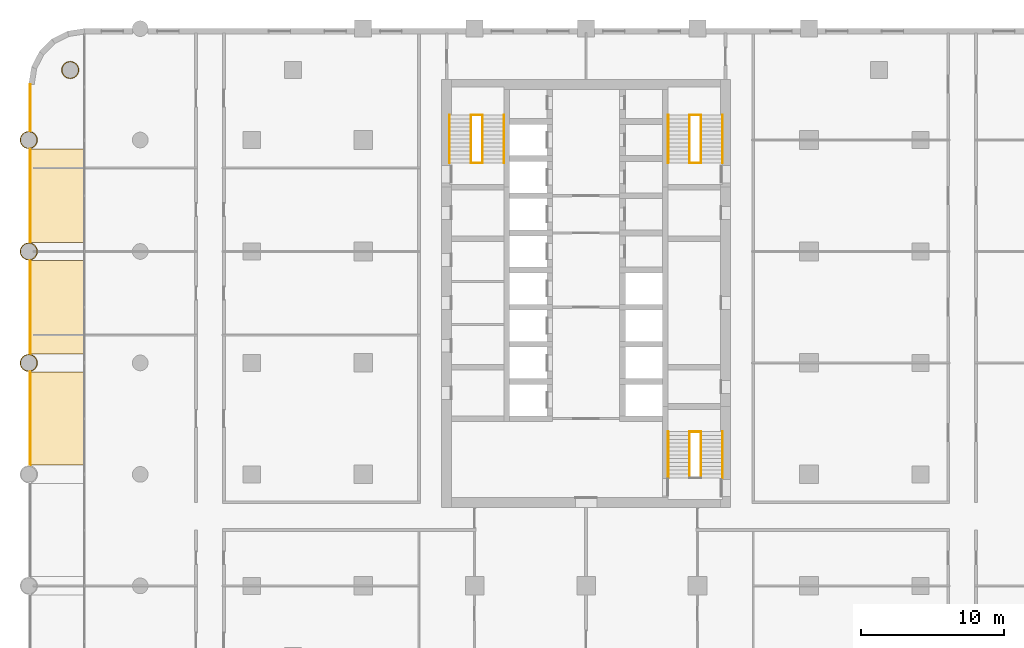
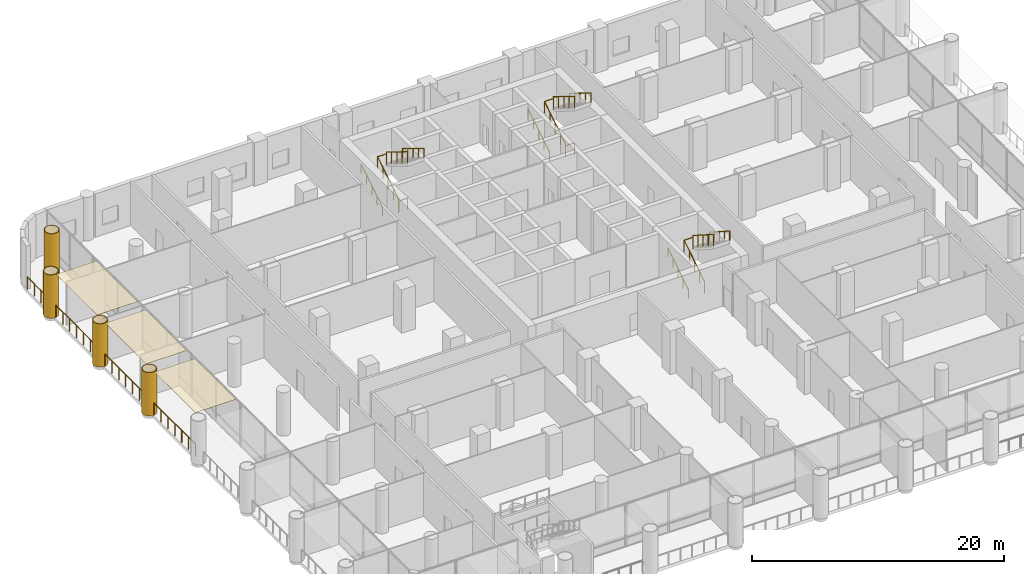
# One storey, part 22 of 24: 21 railings, 7 coverings, 3 elements without a shape of their own.
"""IFC4 building model written with IfcOpenShell, lengths in metres."""

from ifc_helpers import new_model, si_unit, direction, frame, origin, origin_2d, place, context, subcontext, project, spatial, polyline, rectangle, circle, outline, extrude, material, layer, layer_set, type_object, element, aggregate, save


model = new_model("IFC4")

# Units and contexts
model_context = context("Model", 3, precision=1e-05, world=origin(), true_north=direction((0.0, 1.0)))
body_context = subcontext(model_context, "Body", "Model", "MODEL_VIEW")
ifc_project = project(units=[si_unit("LENGTHUNIT", "METRE"), si_unit("AREAUNIT", "SQUARE_METRE"), si_unit("VOLUMEUNIT", "CUBIC_METRE"), si_unit("PLANEANGLEUNIT", "RADIAN"), si_unit("MASSUNIT", "GRAM", prefix="KILO")], contexts=[model_context])

# Site, building, storey
site_placement = place(None, origin())
site = spatial("IfcSite", under=ifc_project, at=site_placement, CompositionType="ELEMENT")
building_placement = place(site_placement, origin())
building = spatial("IfcBuilding", under=site, at=building_placement, Name="Ludao Terraces", CompositionType="ELEMENT")
storey_placement = place(building_placement, frame((0.0, 0.0, 6.0)))
storey = spatial("IfcBuildingStorey", under=building, at=storey_placement, Name="L01", CompositionType="ELEMENT", Elevation=6.0)

# Coverings
ifc_material_1 = material(Name="Stone-effect cement board ceiling lining", Category="masonry")
ifc_layer_1 = layer(ifc_material_1, 0.030029296875)
ifc_layer_set_1 = layer_set([ifc_layer_1], Name="ENV Arcade ceiling lining 30")
covering_type_1 = type_object("IfcCoveringType", Name="ENV Arcade ceiling lining 30", PredefinedType="CEILING", material=ifc_layer_set_1)
for number, where, z_axis, x_axis, name in (
    (1, (47.9599609375, 61.10009765625, 4.169921875), (0.0, 0.0, 1.0), (1.0, 0.0, 0.0), "CL-L01-W4"),
    (2, (47.9599609375, 68.89990234375, 4.169921875), (0.0, 0.0, 1.0), (1.0, 0.0, 0.0), "CL-L01-W5"),
    (3, (47.9599609375, 76.699951171875, 4.169921875), (0.0, 0.0, 1.0), (1.0, 0.0, 0.0), "CL-L01-W6"),
):
    element("IfcCovering", number, at=place(storey_placement, frame(where, z_axis=z_axis, x_axis=x_axis)), inside=storey, type_object=covering_type_1, Name=name, PredefinedType="CEILING", context=body_context, shape_type="SweptSolid", body=[
        extrude(rectangle(XDim=3.719970703125, YDim=6.52001953125, at=origin_2d()), origin(), (0.0, 0.0, 1.0), 0.030029296875),
    ])

# Railings
ifc_material_2 = material(Name="Steel Q235", Category="steel")
railing_type_1 = type_object("IfcRailingType", Name="ENV Open-edge guard 1200", PredefinedType="GUARDRAIL", material=ifc_material_2)
for number, where, name in (
    (4, (46.10009765625, 57.820068359375, 0.0), "Guard L01 W5"),
    (5, (46.10009765625, 65.6201171875, 0.0), "Guard L01 W6"),
):
    element("IfcRailing", number, at=place(storey_placement, frame(where)), inside=storey, type_object=railing_type_1, Name=name, PredefinedType="GUARDRAIL", context=body_context, shape_type="SweptSolid", body=[
        extrude(circle(Radius=0.02392578125, at=origin_2d()), frame((0.0, 0.0, 1.17578125), z_axis=(0.0, 1.0, 0.0), x_axis=(-1.0, 0.0, 0.0)), (0.0, 0.0, 1.0), 6.559814453125),
        extrude(circle(Radius=0.02099609375, at=origin_2d()), origin(), (0.0, 0.0, 1.0), 1.15185546875),
        extrude(circle(Radius=0.02099609375, at=origin_2d()), frame((0.0, 1.09326171875, 0.0)), (0.0, 0.0, 1.0), 1.15185546875),
        extrude(circle(Radius=0.02099609375, at=origin_2d()), frame((0.0, 2.1865234375, 0.0)), (0.0, 0.0, 1.0), 1.15185546875),
        extrude(circle(Radius=0.02099609375, at=origin_2d()), frame((0.0, 3.27978515625, 0.0)), (0.0, 0.0, 1.0), 1.15185546875),
        extrude(circle(Radius=0.02099609375, at=origin_2d()), frame((0.0, 4.373291015625, 0.0)), (0.0, 0.0, 1.0), 1.15185546875),
        extrude(circle(Radius=0.02099609375, at=origin_2d()), frame((0.0, 5.466552734375, 0.0)), (0.0, 0.0, 1.0), 1.15185546875),
        extrude(circle(Radius=0.02099609375, at=origin_2d()), frame((0.0, 6.559814453125, 0.0)), (0.0, 0.0, 1.0), 1.15185546875),
    ])
railing_1_placement = place(storey_placement, frame((46.10009765625, 73.419921875, 0.0)))
element("IfcRailing", 6, at=railing_1_placement, inside=storey, type_object=railing_type_1, Name="Guard L01 W7", PredefinedType="GUARDRAIL", context=body_context, shape_type="SweptSolid", body=[
    extrude(circle(Radius=0.02392578125, at=origin_2d()), frame((0.0, 0.0, 1.17578125), z_axis=(0.0, 1.0, 0.0), x_axis=(-1.0, 0.0, 0.0)), (0.0, 0.0, 1.0), 6.56005859375),
    extrude(circle(Radius=0.02099609375, at=origin_2d()), origin(), (0.0, 0.0, 1.0), 1.15185546875),
    extrude(circle(Radius=0.02099609375, at=origin_2d()), frame((0.0, 1.09326171875, 0.0)), (0.0, 0.0, 1.0), 1.15185546875),
    extrude(circle(Radius=0.02099609375, at=origin_2d()), frame((0.0, 2.186767578125, 0.0)), (0.0, 0.0, 1.0), 1.15185546875),
    extrude(circle(Radius=0.02099609375, at=origin_2d()), frame((0.0, 3.280029296875, 0.0)), (0.0, 0.0, 1.0), 1.15185546875),
    extrude(circle(Radius=0.02099609375, at=origin_2d()), frame((0.0, 4.373291015625, 0.0)), (0.0, 0.0, 1.0), 1.15185546875),
    extrude(circle(Radius=0.02099609375, at=origin_2d()), frame((0.0, 5.466796875, 0.0)), (0.0, 0.0, 1.0), 1.15185546875),
    extrude(circle(Radius=0.02099609375, at=origin_2d()), frame((0.0, 6.56005859375, 0.0)), (0.0, 0.0, 1.0), 1.15185546875),
])
railing_2_placement = place(storey_placement, frame((46.10009765625, 81.219970703125, 0.0)))
element("IfcRailing", 7, at=railing_2_placement, inside=storey, type_object=railing_type_1, Name="Guard L01 W8", PredefinedType="GUARDRAIL", context=body_context, shape_type="SweptSolid", body=[
    extrude(circle(Radius=0.02392578125, at=origin_2d()), frame((0.0, 0.0, 1.17578125), z_axis=(0.0, 1.0, 0.0), x_axis=(-1.0, 0.0, 0.0)), (0.0, 0.0, 1.0), 3.280029296875),
    extrude(circle(Radius=0.02099609375, at=origin_2d()), origin(), (0.0, 0.0, 1.0), 1.15185546875),
    extrude(circle(Radius=0.02099609375, at=origin_2d()), frame((0.0, 1.09326171875, 0.0)), (0.0, 0.0, 1.0), 1.15185546875),
    extrude(circle(Radius=0.02099609375, at=origin_2d()), frame((0.0, 2.186767578125, 0.0)), (0.0, 0.0, 1.0), 1.15185546875),
    extrude(circle(Radius=0.02099609375, at=origin_2d()), frame((0.0, 3.280029296875, 0.0)), (0.0, 0.0, 1.0), 1.15185546875),
])

# Coverings
ifc_material_3 = material(Name="Granite cladding", Category="masonry")
ifc_layer_2 = layer(ifc_material_3, 0.06005859375)
ifc_layer_set_2 = layer_set([ifc_layer_2], Name="ENV Stone column casing 60")
covering_type_2 = type_object("IfcCoveringType", Name="ENV Stone column casing 60", PredefinedType="CLADDING", material=ifc_layer_set_2)
covering_1_placement = place(storey_placement, origin())
element("IfcCovering", 8, at=covering_1_placement, inside=storey, type_object=covering_type_2, Name="CC-L01-G-156x0234", PredefinedType="CLADDING", context=body_context, shape_type="SweptSolid", body=[
    extrude(outline(polyline([(46.61474609375, 65.0), (46.59375, 65.1591796875), (46.532470703125, 65.307373046875), (46.4345703125, 65.4345703125), (46.307373046875, 65.532470703125), (46.1591796875, 65.59375), (46.0, 65.61474609375), (45.8408203125, 65.59375), (45.692626953125, 65.532470703125), (45.5654296875, 65.4345703125), (45.467529296875, 65.307373046875), (45.40625, 65.1591796875), (45.38525390625, 65.0), (45.40625, 64.8408203125), (45.467529296875, 64.692626953125), (45.5654296875, 64.5654296875), (45.692626953125, 64.467529296875), (45.8408203125, 64.40625), (46.0, 64.38525390625), (46.1591796875, 64.40625), (46.307373046875, 64.467529296875), (46.4345703125, 64.5654296875), (46.532470703125, 64.692626953125), (46.59375, 64.8408203125), (46.61474609375, 65.0)]), holes=[polyline([(46.535888671875, 64.8564453125), (46.48046875, 64.72265625), (46.392333984375, 64.607666015625), (46.27734375, 64.51953125), (46.1435546875, 64.464111328125), (46.0, 64.4453125), (45.8564453125, 64.464111328125), (45.72265625, 64.51953125), (45.607666015625, 64.607666015625), (45.51953125, 64.72265625), (45.464111328125, 64.8564453125), (45.4453125, 65.0), (45.464111328125, 65.1435546875), (45.51953125, 65.27734375), (45.607666015625, 65.392333984375), (45.72265625, 65.48046875), (45.8564453125, 65.535888671875), (46.0, 65.5546875), (46.1435546875, 65.535888671875), (46.27734375, 65.48046875), (46.392333984375, 65.392333984375), (46.48046875, 65.27734375), (46.535888671875, 65.1435546875), (46.5546875, 65.0), (46.535888671875, 64.8564453125)])]), origin(), (0.0, 0.0, 1.0), 4.199951171875),
])
covering_2_placement = place(storey_placement, origin())
element("IfcCovering", 9, at=covering_2_placement, inside=storey, type_object=covering_type_2, Name="CC-L01-G-156x0312", PredefinedType="CLADDING", context=body_context, shape_type="SweptSolid", body=[
    extrude(outline(polyline([(46.61474609375, 72.800048828125), (46.59375, 72.959228515625), (46.532470703125, 73.107421875), (46.4345703125, 73.234619140625), (46.307373046875, 73.332275390625), (46.1591796875, 73.393798828125), (46.0, 73.414794921875), (45.8408203125, 73.393798828125), (45.692626953125, 73.332275390625), (45.5654296875, 73.234619140625), (45.467529296875, 73.107421875), (45.40625, 72.959228515625), (45.38525390625, 72.800048828125), (45.40625, 72.640869140625), (45.467529296875, 72.49267578125), (45.5654296875, 72.365234375), (45.692626953125, 72.267578125), (45.8408203125, 72.206298828125), (46.0, 72.185302734375), (46.1591796875, 72.206298828125), (46.307373046875, 72.267578125), (46.4345703125, 72.365234375), (46.532470703125, 72.49267578125), (46.59375, 72.640869140625), (46.61474609375, 72.800048828125)]), holes=[polyline([(46.535888671875, 72.656494140625), (46.48046875, 72.522705078125), (46.392333984375, 72.40771484375), (46.27734375, 72.319580078125), (46.1435546875, 72.26416015625), (46.0, 72.245361328125), (45.8564453125, 72.26416015625), (45.72265625, 72.319580078125), (45.607666015625, 72.40771484375), (45.51953125, 72.522705078125), (45.464111328125, 72.656494140625), (45.4453125, 72.800048828125), (45.464111328125, 72.943603515625), (45.51953125, 73.077392578125), (45.607666015625, 73.1923828125), (45.72265625, 73.280517578125), (45.8564453125, 73.3359375), (46.0, 73.354736328125), (46.1435546875, 73.3359375), (46.27734375, 73.280517578125), (46.392333984375, 73.1923828125), (46.48046875, 73.077392578125), (46.535888671875, 72.943603515625), (46.5546875, 72.800048828125), (46.535888671875, 72.656494140625)])]), origin(), (0.0, 0.0, 1.0), 4.199951171875),
])
covering_3_placement = place(storey_placement, origin())
element("IfcCovering", 10, at=covering_3_placement, inside=storey, type_object=covering_type_2, Name="CC-L01-G-156x0390", PredefinedType="CLADDING", context=body_context, shape_type="SweptSolid", body=[
    extrude(outline(polyline([(46.61474609375, 80.60009765625), (46.59375, 80.759033203125), (46.532470703125, 80.907470703125), (46.4345703125, 81.03466796875), (46.307373046875, 81.13232421875), (46.1591796875, 81.19384765625), (46.0, 81.21484375), (45.8408203125, 81.19384765625), (45.692626953125, 81.13232421875), (45.5654296875, 81.03466796875), (45.467529296875, 80.907470703125), (45.40625, 80.759033203125), (45.38525390625, 80.60009765625), (45.40625, 80.44091796875), (45.467529296875, 80.292724609375), (45.5654296875, 80.165283203125), (45.692626953125, 80.067626953125), (45.8408203125, 80.006103515625), (46.0, 79.9853515625), (46.1591796875, 80.006103515625), (46.307373046875, 80.067626953125), (46.4345703125, 80.165283203125), (46.532470703125, 80.292724609375), (46.59375, 80.44091796875), (46.61474609375, 80.60009765625)]), holes=[polyline([(46.535888671875, 80.45654296875), (46.48046875, 80.322509765625), (46.392333984375, 80.207763671875), (46.27734375, 80.11962890625), (46.1435546875, 80.064208984375), (46.0, 80.045166015625), (45.8564453125, 80.064208984375), (45.72265625, 80.11962890625), (45.607666015625, 80.207763671875), (45.51953125, 80.322509765625), (45.464111328125, 80.45654296875), (45.4453125, 80.60009765625), (45.464111328125, 80.74365234375), (45.51953125, 80.87744140625), (45.607666015625, 80.9921875), (45.72265625, 81.080322265625), (45.8564453125, 81.1357421875), (46.0, 81.15478515625), (46.1435546875, 81.1357421875), (46.27734375, 81.080322265625), (46.392333984375, 80.9921875), (46.48046875, 80.87744140625), (46.535888671875, 80.74365234375), (46.5546875, 80.60009765625), (46.535888671875, 80.45654296875)])]), origin(), (0.0, 0.0, 1.0), 4.199951171875),
])
covering_4_placement = place(storey_placement, origin())
element("IfcCovering", 11, at=covering_4_placement, inside=storey, type_object=covering_type_2, Name="CC-L01-G-127x0439", PredefinedType="CLADDING", context=body_context, shape_type="SweptSolid", body=[
    extrude(outline(polyline([(49.5146484375, 85.5), (49.493896484375, 85.6591796875), (49.432373046875, 85.807373046875), (49.334716796875, 85.9345703125), (49.207275390625, 86.032470703125), (49.05908203125, 86.09375), (48.89990234375, 86.11474609375), (48.740966796875, 86.09375), (48.592529296875, 86.032470703125), (48.46533203125, 85.9345703125), (48.36767578125, 85.807373046875), (48.30615234375, 85.6591796875), (48.28515625, 85.5), (48.30615234375, 85.3408203125), (48.36767578125, 85.192626953125), (48.46533203125, 85.0654296875), (48.592529296875, 84.967529296875), (48.740966796875, 84.90625), (48.89990234375, 84.88525390625), (49.05908203125, 84.90625), (49.207275390625, 84.967529296875), (49.334716796875, 85.0654296875), (49.432373046875, 85.192626953125), (49.493896484375, 85.3408203125), (49.5146484375, 85.5)]), holes=[polyline([(49.435791015625, 85.3564453125), (49.38037109375, 85.22265625), (49.292236328125, 85.107666015625), (49.177490234375, 85.01953125), (49.04345703125, 84.964111328125), (48.89990234375, 84.9453125), (48.75634765625, 84.964111328125), (48.62255859375, 85.01953125), (48.5078125, 85.107666015625), (48.419677734375, 85.22265625), (48.3642578125, 85.3564453125), (48.34521484375, 85.5), (48.3642578125, 85.6435546875), (48.419677734375, 85.77734375), (48.5078125, 85.892333984375), (48.62255859375, 85.98046875), (48.75634765625, 86.035888671875), (48.89990234375, 86.0546875), (49.04345703125, 86.035888671875), (49.177490234375, 85.98046875), (49.292236328125, 85.892333984375), (49.38037109375, 85.77734375), (49.435791015625, 85.6435546875), (49.454833984375, 85.5), (49.435791015625, 85.3564453125)])]), origin(), (0.0, 0.0, 1.0), 4.199951171875),
])

# Stair, railings
ifc_material_4 = material(Name="Concrete C40", Category="concrete")
stair_type = type_object("IfcStairType", Name="INT Stair", PredefinedType="HALF_TURN_STAIR", material=ifc_material_4)
stair_1_placement = place(storey_placement, origin())
stair_1 = element("IfcStair", 12, at=stair_1_placement, inside=storey, type_object=stair_type, Name="EXIT STAIR 1", PredefinedType="HALF_TURN_STAIR")
ifc_material_5 = material(Name="Stainless steel 304", Category="steel")
railing_type_2 = type_object("IfcRailingType", Name="INT Stair guard 1100", PredefinedType="GUARDRAIL", material=ifc_material_5)
railing_3_placement = place(storey_placement, frame((76.949951171875, 79.0, 0.173095703125)))
railing_3 = element("IfcRailing", 13, at=railing_3_placement, type_object=railing_type_2, Name="ST-L01-S1-R1G", PredefinedType="GUARDRAIL", context=body_context, shape_type="SweptSolid", body=[
    extrude(circle(Radius=0.02392578125, at=origin_2d()), frame((0.0, 0.0, 1.076171875), z_axis=(0.0, 0.850623216509, 0.525775754039), x_axis=(-1.0, 0.0, 0.0)), (0.0, 0.0, 1.0), 3.9501953125),
    extrude(circle(Radius=0.02099609375, at=origin_2d()), origin(), (0.0, 0.0, 1.0), 1.052001953125),
    extrude(circle(Radius=0.02099609375, at=origin_2d()), frame((0.0, 0.840087890625, 0.519287109375)), (0.0, 0.0, 1.0), 1.052001953125),
    extrude(circle(Radius=0.02099609375, at=origin_2d()), frame((0.0, 1.68017578125, 1.03857421875)), (0.0, 0.0, 1.0), 1.052001953125),
    extrude(circle(Radius=0.02099609375, at=origin_2d()), frame((0.0, 2.52001953125, 1.5576171875)), (0.0, 0.0, 1.0), 1.052001953125),
    extrude(circle(Radius=0.02099609375, at=origin_2d()), frame((0.0, 3.360107421875, 2.076904296875)), (0.0, 0.0, 1.0), 1.052001953125),
])
railing_4_placement = place(storey_placement, frame((77.75, 82.360107421875, 2.423095703125)))
railing_4 = element("IfcRailing", 14, at=railing_4_placement, type_object=railing_type_2, Name="ST-L01-S1-R2G", PredefinedType="GUARDRAIL", context=body_context, shape_type="SweptSolid", body=[
    extrude(circle(Radius=0.02392578125, at=origin_2d()), frame((0.0, 0.0, 1.076171875), z_axis=(0.0, -0.850623216509, 0.525775754039), x_axis=(1.0, 0.0, 0.0)), (0.0, 0.0, 1.0), 3.9501953125),
    extrude(circle(Radius=0.02099609375, at=origin_2d()), origin(), (0.0, 0.0, 1.0), 1.052001953125),
    extrude(circle(Radius=0.02099609375, at=origin_2d()), frame((0.0, -0.840087890625, 0.519287109375)), (0.0, 0.0, 1.0), 1.052001953125),
    extrude(circle(Radius=0.02099609375, at=origin_2d()), frame((0.0, -1.68017578125, 1.03857421875)), (0.0, 0.0, 1.0), 1.052001953125),
    extrude(circle(Radius=0.02099609375, at=origin_2d()), frame((0.0, -2.52001953125, 1.5576171875)), (0.0, 0.0, 1.0), 1.052001953125),
    extrude(circle(Radius=0.02099609375, at=origin_2d()), frame((0.0, -3.360107421875, 2.076904296875)), (0.0, 0.0, 1.0), 1.052001953125),
])
railing_5_placement = place(storey_placement, frame((76.949951171875, 82.360107421875, 2.25)))
railing_5 = element("IfcRailing", 15, at=railing_5_placement, type_object=railing_type_2, Name="ST-L01-S1-E1G", PredefinedType="GUARDRAIL", context=body_context, shape_type="SweptSolid", body=[
    extrude(circle(Radius=0.02392578125, at=origin_2d()), frame((0.0, 0.0, 1.076171875), z_axis=(1.0, 0.0, 0.0), x_axis=(0.0, 1.0, 0.0)), (0.0, 0.0, 1.0), 0.800048828125),
    extrude(circle(Radius=0.02099609375, at=origin_2d()), origin(), (0.0, 0.0, 1.0), 1.052001953125),
    extrude(circle(Radius=0.02099609375, at=origin_2d()), frame((0.800048828125, 0.0, 0.0)), (0.0, 0.0, 1.0), 1.052001953125),
])
railing_6_placement = place(storey_placement, frame((76.949951171875, 79.0, 0.0)))
railing_6 = element("IfcRailing", 16, at=railing_6_placement, type_object=railing_type_2, Name="ST-L01-S1-E2G", PredefinedType="GUARDRAIL", context=body_context, shape_type="SweptSolid", body=[
    extrude(circle(Radius=0.02392578125, at=origin_2d()), frame((0.0, 0.0, 1.076171875), z_axis=(1.0, 0.0, 0.0), x_axis=(0.0, 1.0, 0.0)), (0.0, 0.0, 1.0), 0.800048828125),
    extrude(circle(Radius=0.02099609375, at=origin_2d()), origin(), (0.0, 0.0, 1.0), 1.052001953125),
    extrude(circle(Radius=0.02099609375, at=origin_2d()), frame((0.800048828125, 0.0, 0.0)), (0.0, 0.0, 1.0), 1.052001953125),
])

stair_2_placement = place(storey_placement, origin())
stair_2 = element("IfcStair", 17, at=stair_2_placement, inside=storey, type_object=stair_type, Name="EXIT STAIR 2", PredefinedType="HALF_TURN_STAIR")
railing_7_placement = place(storey_placement, frame((92.25, 79.0, 0.173095703125)))
railing_7 = element("IfcRailing", 18, at=railing_7_placement, type_object=railing_type_2, Name="ST-L01-S2-R1G", PredefinedType="GUARDRAIL", context=body_context, shape_type="SweptSolid", body=[
    extrude(circle(Radius=0.02392578125, at=origin_2d()), frame((0.0, 0.0, 1.076171875), z_axis=(0.0, 0.850623216509, 0.525775754039), x_axis=(-1.0, 0.0, 0.0)), (0.0, 0.0, 1.0), 3.9501953125),
    extrude(circle(Radius=0.02099609375, at=origin_2d()), origin(), (0.0, 0.0, 1.0), 1.052001953125),
    extrude(circle(Radius=0.02099609375, at=origin_2d()), frame((0.0, 0.840087890625, 0.519287109375)), (0.0, 0.0, 1.0), 1.052001953125),
    extrude(circle(Radius=0.02099609375, at=origin_2d()), frame((0.0, 1.68017578125, 1.03857421875)), (0.0, 0.0, 1.0), 1.052001953125),
    extrude(circle(Radius=0.02099609375, at=origin_2d()), frame((0.0, 2.52001953125, 1.5576171875)), (0.0, 0.0, 1.0), 1.052001953125),
    extrude(circle(Radius=0.02099609375, at=origin_2d()), frame((0.0, 3.360107421875, 2.076904296875)), (0.0, 0.0, 1.0), 1.052001953125),
])
railing_8_placement = place(storey_placement, frame((93.050048828125, 82.360107421875, 2.423095703125)))
railing_8 = element("IfcRailing", 19, at=railing_8_placement, type_object=railing_type_2, Name="ST-L01-S2-R2G", PredefinedType="GUARDRAIL", context=body_context, shape_type="SweptSolid", body=[
    extrude(circle(Radius=0.02392578125, at=origin_2d()), frame((0.0, 0.0, 1.076171875), z_axis=(0.0, -0.850623216509, 0.525775754039), x_axis=(1.0, 0.0, 0.0)), (0.0, 0.0, 1.0), 3.9501953125),
    extrude(circle(Radius=0.02099609375, at=origin_2d()), origin(), (0.0, 0.0, 1.0), 1.052001953125),
    extrude(circle(Radius=0.02099609375, at=origin_2d()), frame((0.0, -0.840087890625, 0.519287109375)), (0.0, 0.0, 1.0), 1.052001953125),
    extrude(circle(Radius=0.02099609375, at=origin_2d()), frame((0.0, -1.68017578125, 1.03857421875)), (0.0, 0.0, 1.0), 1.052001953125),
    extrude(circle(Radius=0.02099609375, at=origin_2d()), frame((0.0, -2.52001953125, 1.5576171875)), (0.0, 0.0, 1.0), 1.052001953125),
    extrude(circle(Radius=0.02099609375, at=origin_2d()), frame((0.0, -3.360107421875, 2.076904296875)), (0.0, 0.0, 1.0), 1.052001953125),
])
railing_9_placement = place(storey_placement, frame((92.25, 82.360107421875, 2.25)))
railing_9 = element("IfcRailing", 20, at=railing_9_placement, type_object=railing_type_2, Name="ST-L01-S2-E1G", PredefinedType="GUARDRAIL", context=body_context, shape_type="SweptSolid", body=[
    extrude(circle(Radius=0.02392578125, at=origin_2d()), frame((0.0, 0.0, 1.076171875), z_axis=(1.0, 0.0, 0.0), x_axis=(0.0, 1.0, 0.0)), (0.0, 0.0, 1.0), 0.800048828125),
    extrude(circle(Radius=0.02099609375, at=origin_2d()), origin(), (0.0, 0.0, 1.0), 1.052001953125),
    extrude(circle(Radius=0.02099609375, at=origin_2d()), frame((0.800048828125, 0.0, 0.0)), (0.0, 0.0, 1.0), 1.052001953125),
])
railing_10_placement = place(storey_placement, frame((92.25, 79.0, 0.0)))
railing_10 = element("IfcRailing", 21, at=railing_10_placement, type_object=railing_type_2, Name="ST-L01-S2-E2G", PredefinedType="GUARDRAIL", context=body_context, shape_type="SweptSolid", body=[
    extrude(circle(Radius=0.02392578125, at=origin_2d()), frame((0.0, 0.0, 1.076171875), z_axis=(1.0, 0.0, 0.0), x_axis=(0.0, 1.0, 0.0)), (0.0, 0.0, 1.0), 0.800048828125),
    extrude(circle(Radius=0.02099609375, at=origin_2d()), origin(), (0.0, 0.0, 1.0), 1.052001953125),
    extrude(circle(Radius=0.02099609375, at=origin_2d()), frame((0.800048828125, 0.0, 0.0)), (0.0, 0.0, 1.0), 1.052001953125),
])

stair_3_placement = place(storey_placement, origin())
stair_3 = element("IfcStair", 22, at=stair_3_placement, inside=storey, type_object=stair_type, Name="EXIT STAIR 3", PredefinedType="HALF_TURN_STAIR")
railing_11_placement = place(storey_placement, frame((92.25, 56.949951171875, 0.173095703125)))
railing_11 = element("IfcRailing", 23, at=railing_11_placement, type_object=railing_type_2, Name="ST-L01-S3-R1G", PredefinedType="GUARDRAIL", context=body_context, shape_type="SweptSolid", body=[
    extrude(circle(Radius=0.02392578125, at=origin_2d()), frame((0.0, 0.0, 1.076171875), z_axis=(0.0, 0.841880617004, 0.539663808971), x_axis=(-1.0, 0.0, 0.0)), (0.0, 0.0, 1.0), 3.8486328125),
    extrude(circle(Radius=0.02099609375, at=origin_2d()), origin(), (0.0, 0.0, 1.0), 1.052001953125),
    extrude(circle(Radius=0.02099609375, at=origin_2d()), frame((0.0, 0.81005859375, 0.519287109375)), (0.0, 0.0, 1.0), 1.052001953125),
    extrude(circle(Radius=0.02099609375, at=origin_2d()), frame((0.0, 1.6201171875, 1.03857421875)), (0.0, 0.0, 1.0), 1.052001953125),
    extrude(circle(Radius=0.02099609375, at=origin_2d()), frame((0.0, 2.429931640625, 1.5576171875)), (0.0, 0.0, 1.0), 1.052001953125),
    extrude(circle(Radius=0.02099609375, at=origin_2d()), frame((0.0, 3.239990234375, 2.076904296875)), (0.0, 0.0, 1.0), 1.052001953125),
])
railing_12_placement = place(storey_placement, frame((93.050048828125, 60.18994140625, 2.423095703125)))
railing_12 = element("IfcRailing", 24, at=railing_12_placement, type_object=railing_type_2, Name="ST-L01-S3-R2G", PredefinedType="GUARDRAIL", context=body_context, shape_type="SweptSolid", body=[
    extrude(circle(Radius=0.02392578125, at=origin_2d()), frame((0.0, 0.0, 1.076171875), z_axis=(0.0, -0.841880617004, 0.539663808971), x_axis=(1.0, 0.0, 0.0)), (0.0, 0.0, 1.0), 3.8486328125),
    extrude(circle(Radius=0.02099609375, at=origin_2d()), origin(), (0.0, 0.0, 1.0), 1.052001953125),
    extrude(circle(Radius=0.02099609375, at=origin_2d()), frame((0.0, -0.81005859375, 0.519287109375)), (0.0, 0.0, 1.0), 1.052001953125),
    extrude(circle(Radius=0.02099609375, at=origin_2d()), frame((0.0, -1.6201171875, 1.03857421875)), (0.0, 0.0, 1.0), 1.052001953125),
    extrude(circle(Radius=0.02099609375, at=origin_2d()), frame((0.0, -2.429931640625, 1.5576171875)), (0.0, 0.0, 1.0), 1.052001953125),
    extrude(circle(Radius=0.02099609375, at=origin_2d()), frame((0.0, -3.239990234375, 2.076904296875)), (0.0, 0.0, 1.0), 1.052001953125),
])
railing_13_placement = place(storey_placement, frame((92.25, 60.18994140625, 2.25)))
railing_13 = element("IfcRailing", 25, at=railing_13_placement, type_object=railing_type_2, Name="ST-L01-S3-E1G", PredefinedType="GUARDRAIL", context=body_context, shape_type="SweptSolid", body=[
    extrude(circle(Radius=0.02392578125, at=origin_2d()), frame((0.0, 0.0, 1.076171875), z_axis=(1.0, 0.0, 0.0), x_axis=(0.0, 1.0, 0.0)), (0.0, 0.0, 1.0), 0.800048828125),
    extrude(circle(Radius=0.02099609375, at=origin_2d()), origin(), (0.0, 0.0, 1.0), 1.052001953125),
    extrude(circle(Radius=0.02099609375, at=origin_2d()), frame((0.800048828125, 0.0, 0.0)), (0.0, 0.0, 1.0), 1.052001953125),
])

# Railing
railing_type_3 = type_object("IfcRailingType", Name="INT Stair handrail 900", PredefinedType="HANDRAIL", material=ifc_material_5)
railing_14_placement = place(storey_placement, frame((75.449951171875, 79.0, 0.173095703125)))
railing_14 = element("IfcRailing", 26, at=railing_14_placement, type_object=railing_type_3, Name="ST-L01-S1-R1H", PredefinedType="HANDRAIL", context=body_context, shape_type="SweptSolid", body=[
    extrude(circle(Radius=0.02392578125, at=origin_2d()), frame((0.0, 0.0, 0.8759765625), z_axis=(0.0, 0.850623216509, 0.525775754039), x_axis=(-1.0, 0.0, 0.0)), (0.0, 0.0, 1.0), 3.9501953125),
    extrude(circle(Radius=0.02099609375, at=origin_2d()), origin(), (0.0, 0.0, 1.0), 0.851806640625),
    extrude(circle(Radius=0.02099609375, at=origin_2d()), frame((0.0, 0.840087890625, 0.519287109375)), (0.0, 0.0, 1.0), 0.851806640625),
    extrude(circle(Radius=0.02099609375, at=origin_2d()), frame((0.0, 1.68017578125, 1.03857421875)), (0.0, 0.0, 1.0), 0.851806640625),
    extrude(circle(Radius=0.02099609375, at=origin_2d()), frame((0.0, 2.52001953125, 1.5576171875)), (0.0, 0.0, 1.0), 0.851806640625),
    extrude(circle(Radius=0.02099609375, at=origin_2d()), frame((0.0, 3.360107421875, 2.076904296875)), (0.0, 0.0, 1.0), 0.851806640625),
])

railing_15_placement = place(storey_placement, frame((79.25, 82.360107421875, 2.423095703125)))
railing_15 = element("IfcRailing", 27, at=railing_15_placement, type_object=railing_type_3, Name="ST-L01-S1-R2H", PredefinedType="HANDRAIL", context=body_context, shape_type="SweptSolid", body=[
    extrude(circle(Radius=0.02392578125, at=origin_2d()), frame((0.0, 0.0, 0.8759765625), z_axis=(0.0, -0.850623216509, 0.525775754039), x_axis=(1.0, 0.0, 0.0)), (0.0, 0.0, 1.0), 3.9501953125),
    extrude(circle(Radius=0.02099609375, at=origin_2d()), origin(), (0.0, 0.0, 1.0), 0.851806640625),
    extrude(circle(Radius=0.02099609375, at=origin_2d()), frame((0.0, -0.840087890625, 0.519287109375)), (0.0, 0.0, 1.0), 0.851806640625),
    extrude(circle(Radius=0.02099609375, at=origin_2d()), frame((0.0, -1.68017578125, 1.03857421875)), (0.0, 0.0, 1.0), 0.851806640625),
    extrude(circle(Radius=0.02099609375, at=origin_2d()), frame((0.0, -2.52001953125, 1.5576171875)), (0.0, 0.0, 1.0), 0.851806640625),
    extrude(circle(Radius=0.02099609375, at=origin_2d()), frame((0.0, -3.360107421875, 2.076904296875)), (0.0, 0.0, 1.0), 0.851806640625),
])

aggregate(stair_1, [railing_3, railing_14, railing_4, railing_15, railing_5, railing_6])

railing_16_placement = place(storey_placement, frame((90.75, 79.0, 0.173095703125)))
railing_16 = element("IfcRailing", 28, at=railing_16_placement, type_object=railing_type_3, Name="ST-L01-S2-R1H", PredefinedType="HANDRAIL", context=body_context, shape_type="SweptSolid", body=[
    extrude(circle(Radius=0.02392578125, at=origin_2d()), frame((0.0, 0.0, 0.8759765625), z_axis=(0.0, 0.850623216509, 0.525775754039), x_axis=(-1.0, 0.0, 0.0)), (0.0, 0.0, 1.0), 3.9501953125),
    extrude(circle(Radius=0.02099609375, at=origin_2d()), origin(), (0.0, 0.0, 1.0), 0.851806640625),
    extrude(circle(Radius=0.02099609375, at=origin_2d()), frame((0.0, 0.840087890625, 0.519287109375)), (0.0, 0.0, 1.0), 0.851806640625),
    extrude(circle(Radius=0.02099609375, at=origin_2d()), frame((0.0, 1.68017578125, 1.03857421875)), (0.0, 0.0, 1.0), 0.851806640625),
    extrude(circle(Radius=0.02099609375, at=origin_2d()), frame((0.0, 2.52001953125, 1.5576171875)), (0.0, 0.0, 1.0), 0.851806640625),
    extrude(circle(Radius=0.02099609375, at=origin_2d()), frame((0.0, 3.360107421875, 2.076904296875)), (0.0, 0.0, 1.0), 0.851806640625),
])

railing_17_placement = place(storey_placement, frame((94.550048828125, 82.360107421875, 2.423095703125)))
railing_17 = element("IfcRailing", 29, at=railing_17_placement, type_object=railing_type_3, Name="ST-L01-S2-R2H", PredefinedType="HANDRAIL", context=body_context, shape_type="SweptSolid", body=[
    extrude(circle(Radius=0.02392578125, at=origin_2d()), frame((0.0, 0.0, 0.8759765625), z_axis=(0.0, -0.850623216509, 0.525775754039), x_axis=(1.0, 0.0, 0.0)), (0.0, 0.0, 1.0), 3.9501953125),
    extrude(circle(Radius=0.02099609375, at=origin_2d()), origin(), (0.0, 0.0, 1.0), 0.851806640625),
    extrude(circle(Radius=0.02099609375, at=origin_2d()), frame((0.0, -0.840087890625, 0.519287109375)), (0.0, 0.0, 1.0), 0.851806640625),
    extrude(circle(Radius=0.02099609375, at=origin_2d()), frame((0.0, -1.68017578125, 1.03857421875)), (0.0, 0.0, 1.0), 0.851806640625),
    extrude(circle(Radius=0.02099609375, at=origin_2d()), frame((0.0, -2.52001953125, 1.5576171875)), (0.0, 0.0, 1.0), 0.851806640625),
    extrude(circle(Radius=0.02099609375, at=origin_2d()), frame((0.0, -3.360107421875, 2.076904296875)), (0.0, 0.0, 1.0), 0.851806640625),
])

aggregate(stair_2, [railing_7, railing_16, railing_8, railing_17, railing_9, railing_10])

railing_18_placement = place(storey_placement, frame((90.75, 56.949951171875, 0.173095703125)))
railing_18 = element("IfcRailing", 30, at=railing_18_placement, type_object=railing_type_3, Name="ST-L01-S3-R1H", PredefinedType="HANDRAIL", context=body_context, shape_type="SweptSolid", body=[
    extrude(circle(Radius=0.02392578125, at=origin_2d()), frame((0.0, 0.0, 0.8759765625), z_axis=(0.0, 0.841880617004, 0.539663808971), x_axis=(-1.0, 0.0, 0.0)), (0.0, 0.0, 1.0), 3.8486328125),
    extrude(circle(Radius=0.02099609375, at=origin_2d()), origin(), (0.0, 0.0, 1.0), 0.851806640625),
    extrude(circle(Radius=0.02099609375, at=origin_2d()), frame((0.0, 0.81005859375, 0.519287109375)), (0.0, 0.0, 1.0), 0.851806640625),
    extrude(circle(Radius=0.02099609375, at=origin_2d()), frame((0.0, 1.6201171875, 1.03857421875)), (0.0, 0.0, 1.0), 0.851806640625),
    extrude(circle(Radius=0.02099609375, at=origin_2d()), frame((0.0, 2.429931640625, 1.5576171875)), (0.0, 0.0, 1.0), 0.851806640625),
    extrude(circle(Radius=0.02099609375, at=origin_2d()), frame((0.0, 3.239990234375, 2.076904296875)), (0.0, 0.0, 1.0), 0.851806640625),
])

railing_19_placement = place(storey_placement, frame((94.550048828125, 60.18994140625, 2.423095703125)))
railing_19 = element("IfcRailing", 31, at=railing_19_placement, type_object=railing_type_3, Name="ST-L01-S3-R2H", PredefinedType="HANDRAIL", context=body_context, shape_type="SweptSolid", body=[
    extrude(circle(Radius=0.02392578125, at=origin_2d()), frame((0.0, 0.0, 0.8759765625), z_axis=(0.0, -0.841880617004, 0.539663808971), x_axis=(1.0, 0.0, 0.0)), (0.0, 0.0, 1.0), 3.8486328125),
    extrude(circle(Radius=0.02099609375, at=origin_2d()), origin(), (0.0, 0.0, 1.0), 0.851806640625),
    extrude(circle(Radius=0.02099609375, at=origin_2d()), frame((0.0, -0.81005859375, 0.519287109375)), (0.0, 0.0, 1.0), 0.851806640625),
    extrude(circle(Radius=0.02099609375, at=origin_2d()), frame((0.0, -1.6201171875, 1.03857421875)), (0.0, 0.0, 1.0), 0.851806640625),
    extrude(circle(Radius=0.02099609375, at=origin_2d()), frame((0.0, -2.429931640625, 1.5576171875)), (0.0, 0.0, 1.0), 0.851806640625),
    extrude(circle(Radius=0.02099609375, at=origin_2d()), frame((0.0, -3.239990234375, 2.076904296875)), (0.0, 0.0, 1.0), 0.851806640625),
])

aggregate(stair_3, [railing_11, railing_18, railing_12, railing_19, railing_13])

save(model, "model.ifc")
